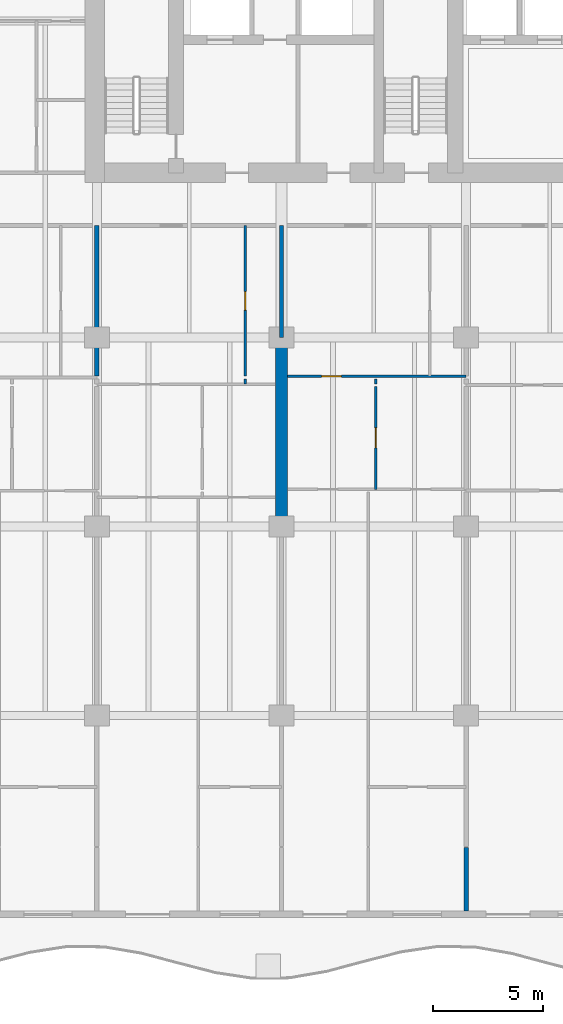
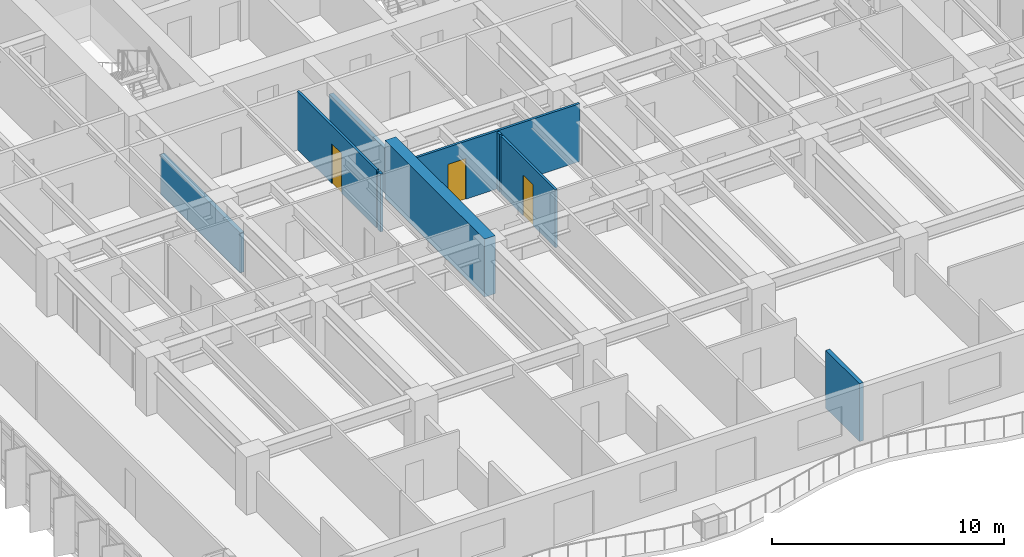
# One storey, part 7 of 17: 9 walls, 3 doors, 3 openings.
"""IFC4 building model written with IfcOpenShell, lengths in metres."""

from ifc_helpers import new_model, si_unit, direction, frame, frame_2d, origin, place, context, subcontext, project, spatial, rectangle, extrude, material, layer, layer_set, type_object, element, fill, save


model = new_model("IFC4")

# Units and contexts
model_context = context("Model", 3, precision=1e-05, world=origin(), true_north=direction((0.0, 1.0)))
body_context = subcontext(model_context, "Body", "Model", "MODEL_VIEW")
ifc_project = project(units=[si_unit("LENGTHUNIT", "METRE"), si_unit("AREAUNIT", "SQUARE_METRE"), si_unit("VOLUMEUNIT", "CUBIC_METRE"), si_unit("PLANEANGLEUNIT", "RADIAN"), si_unit("MASSUNIT", "GRAM", prefix="KILO")], contexts=[model_context])

# Site, building, storey
site_placement = place(None, origin())
site = spatial("IfcSite", under=ifc_project, at=site_placement, CompositionType="ELEMENT")
building_placement = place(site_placement, origin())
building = spatial("IfcBuilding", under=site, at=building_placement, Name="Caelmar Bay Residences", CompositionType="ELEMENT")
storey_placement = place(building_placement, frame((0.0, 0.0, 30.0)))
storey = spatial("IfcBuildingStorey", under=building, at=storey_placement, Name="L06", CompositionType="ELEMENT", Elevation=30.0)

# Walls
ifc_material_1 = material(Name="Concrete f'c 70 MPa (10,000 psi)", Category="concrete")
ifc_layer_1 = layer(ifc_material_1, 0.550048828125)
ifc_layer_set_1 = layer_set([ifc_layer_1], Name="Concrete f'c 70 MPa (10,000 psi)")
wall_type_1 = type_object("IfcWallType", Name="SW-XSLB-550", PredefinedType="SHEAR", material=ifc_layer_set_1)
wall_1_placement = place(storey_placement, frame((26.699951171875, 20.800048828125, 0.0), z_axis=(0.0, 0.0, 1.0), x_axis=(0.0, 1.0, 0.0)))
element("IfcWall", 1, at=wall_1_placement, inside=storey, type_object=wall_type_1, Name="L06 Transverse Cross-Slab Shear Wall W5", PredefinedType="SHEAR", context=body_context, shape_type="SweptSolid", body=[
    extrude(rectangle(XDim=8.599853515625, YDim=0.550048828125, at=frame_2d((4.2998046875, 0.0))), origin(), (0.0, 0.0, 1.0), 3.050048828125),
])
ifc_material_2 = material(Name="Acoustic metal-stud gypsum partition 120 mm")
ifc_layer_2 = layer(ifc_material_2, 0.1201171875)
ifc_layer_set_2 = layer_set([ifc_layer_2], Name="Acoustic metal-stud gypsum partition 120 mm")
wall_type_2 = type_object("IfcWallType", Name="W-PRT-120", PredefinedType="PARTITIONING", material=ifc_layer_set_2)
wall_2_placement = place(storey_placement, frame((25.050048828125, 27.280029296875, 0.0), z_axis=(0.0, 0.0, 1.0), x_axis=(0.0, 1.0, 0.0)))
element("IfcWall", 2, at=wall_2_placement, inside=storey, type_object=wall_type_2, Name="L06 Partition Wall V029", PredefinedType="PARTITIONING", context=body_context, shape_type="SweptSolid", body=[
    extrude(rectangle(XDim=0.239990234375, YDim=0.1201171875, at=frame_2d((0.1201171875, 0.0))), origin(), (0.0, 0.0, 1.0), 3.050048828125),
])

# Wall, opening, door
wall_3_placement = place(storey_placement, frame((25.050048828125, 27.639892578125, 0.0), z_axis=(0.0, 0.0, 1.0), x_axis=(0.0, 1.0, 0.0)))
wall_3 = element("IfcWall", 3, at=wall_3_placement, inside=storey, type_object=wall_type_2, Name="L06 Partition Wall V030", PredefinedType="PARTITIONING", context=body_context, shape_type="SweptSolid", body=[
    extrude(rectangle(XDim=6.860107421875, YDim=0.1201171875, at=frame_2d((3.43017578125, 0.0))), origin(), (0.0, 0.0, 1.0), 3.050048828125),
])
opening_1_placement = place(wall_3_placement, frame((3.0048828125, 0.0, 0.0)))
opening_1 = element("IfcOpeningElement", 4, at=opening_1_placement, cuts=wall_3, Name="Opening D-L06-128", PredefinedType="OPENING", context=body_context, shape_type="SweptSolid", body=[
    extrude(rectangle(XDim=0.85009765625, YDim=2.10009765625, at=frame_2d((0.425048828125, 1.050048828125))), frame((0.0, 0.070068359375, 0.0), z_axis=(0.0, -1.0, 0.0), x_axis=(1.0, 0.0, 0.0)), (0.0, 0.0, 1.0), 0.14013671875),
])
ifc_material_3 = material(Name="Solid walnut timber interior door leaf and frame", Category="wood")
ifc_layer_3 = layer(ifc_material_3, 0.050048828125)
ifc_layer_set_3 = layer_set([ifc_layer_3], Name="Solid walnut timber interior door leaf and frame")
door_type_1 = type_object("IfcDoorType", Name="D-BATH-850", OperationType="NOTDEFINED", PredefinedType="DOOR", material=ifc_layer_set_3)
door_1_placement = place(opening_1_placement, origin())
door_1 = element("IfcDoor", 5, at=door_1_placement, inside=storey, type_object=door_type_1, Name="L06 Residence 02 Bathroom Door", OperationType="SINGLE_SWING_RIGHT", OverallHeight=2.10009765625, OverallWidth=0.85009765625, PredefinedType="DOOR", context=body_context, shape_type="SweptSolid", body=[
    extrude(rectangle(XDim=0.85009765625, YDim=2.10009765625, at=frame_2d((0.425048828125, 1.050048828125))), frame((0.0, 0.02490234375, 0.0), z_axis=(0.0, -1.0, 0.0), x_axis=(1.0, 0.0, 0.0)), (0.0, 0.0, 1.0), 0.050048828125),
])
fill(opening_1, door_1)

wall_4_placement = place(storey_placement, frame((30.986083984375, 22.489990234375, 0.0), z_axis=(0.0, 0.0, 1.0), x_axis=(0.0, 1.0, 0.0)))
wall_4 = element("IfcWall", 6, at=wall_4_placement, inside=storey, type_object=wall_type_2, Name="L06 Partition Wall V039", PredefinedType="PARTITIONING", context=body_context, shape_type="SweptSolid", body=[
    extrude(rectangle(XDim=4.68994140625, YDim=0.1201171875, at=frame_2d((2.344970703125, 0.0))), origin(), (0.0, 0.0, 1.0), 3.050048828125),
])
opening_2_placement = place(wall_4_placement, frame((1.89501953125, 0.0, 0.0)))
opening_2 = element("IfcOpeningElement", 7, at=opening_2_placement, cuts=wall_4, Name="Opening D-L06-137", PredefinedType="OPENING", context=body_context, shape_type="SweptSolid", body=[
    extrude(rectangle(XDim=0.89990234375, YDim=2.14990234375, at=frame_2d((0.449951171875, 1.074951171875))), frame((0.0, 0.070068359375, 0.0), z_axis=(0.0, -1.0, 0.0), x_axis=(1.0, 0.0, 0.0)), (0.0, 0.0, 1.0), 0.14013671875),
])
ifc_layer_4 = layer(ifc_material_3, 0.050048828125)
ifc_layer_set_4 = layer_set([ifc_layer_4], Name="Solid walnut timber interior door leaf and frame")
door_type_2 = type_object("IfcDoorType", Name="D-ROOM-900", OperationType="NOTDEFINED", PredefinedType="DOOR", material=ifc_layer_set_4)
door_2_placement = place(opening_2_placement, origin())
door_2 = element("IfcDoor", 8, at=door_2_placement, inside=storey, type_object=door_type_2, Name="L06 Residence 03 Study Door", OperationType="SINGLE_SWING_LEFT", OverallHeight=2.14990234375, OverallWidth=0.89990234375, PredefinedType="DOOR", context=body_context, shape_type="SweptSolid", body=[
    extrude(rectangle(XDim=0.89990234375, YDim=2.14990234375, at=frame_2d((0.449951171875, 1.074951171875))), frame((0.0, 0.02490234375, 0.0), z_axis=(0.0, -1.0, 0.0), x_axis=(1.0, 0.0, 0.0)), (0.0, 0.0, 1.0), 0.050048828125),
])
fill(opening_2, door_2)

# Wall
wall_5_placement = place(storey_placement, frame((30.986083984375, 27.280029296875, 0.0), z_axis=(0.0, 0.0, 1.0), x_axis=(0.0, 1.0, 0.0)))
element("IfcWall", 9, at=wall_5_placement, inside=storey, type_object=wall_type_2, Name="L06 Partition Wall V040", PredefinedType="PARTITIONING", context=body_context, shape_type="SweptSolid", body=[
    extrude(rectangle(XDim=0.239990234375, YDim=0.1201171875, at=frame_2d((0.1201171875, 0.0))), origin(), (0.0, 0.0, 1.0), 3.050048828125),
])

# Wall, opening, door
wall_6_placement = place(storey_placement, frame((26.969970703125, 27.639892578125, 0.0), z_axis=(0.0, 0.0, 1.0), x_axis=(1.0, 0.0, 0.0)))
wall_6 = element("IfcWall", 10, at=wall_6_placement, inside=storey, type_object=wall_type_2, Name="L06 Partition Wall H122", PredefinedType="PARTITIONING", context=body_context, shape_type="SweptSolid", body=[
    extrude(rectangle(XDim=8.130126953125, YDim=0.1201171875, at=frame_2d((4.06494140625, 0.0))), origin(), (0.0, 0.0, 1.0), 3.050048828125),
])
opening_3_placement = place(wall_6_placement, frame((1.55810546875, 0.0, 0.0)))
opening_3 = element("IfcOpeningElement", 11, at=opening_3_placement, cuts=wall_6, Name="Opening D-L06-136", PredefinedType="OPENING", context=body_context, shape_type="SweptSolid", body=[
    extrude(rectangle(XDim=0.89990234375, YDim=2.14990234375, at=frame_2d((0.449951171875, 1.074951171875))), frame((0.0, 0.070068359375, 0.0), z_axis=(0.0, -1.0, 0.0), x_axis=(1.0, 0.0, 0.0)), (0.0, 0.0, 1.0), 0.14013671875),
])
door_3_placement = place(opening_3_placement, origin())
door_3 = element("IfcDoor", 12, at=door_3_placement, inside=storey, type_object=door_type_2, Name="L06 Residence 03 Kitchen Door", OperationType="SINGLE_SWING_RIGHT", OverallHeight=2.14990234375, OverallWidth=0.89990234375, PredefinedType="DOOR", context=body_context, shape_type="SweptSolid", body=[
    extrude(rectangle(XDim=0.89990234375, YDim=2.14990234375, at=frame_2d((0.449951171875, 1.074951171875))), frame((0.0, 0.02490234375, 0.0), z_axis=(0.0, -1.0, 0.0), x_axis=(1.0, 0.0, 0.0)), (0.0, 0.0, 1.0), 0.050048828125),
])
fill(opening_3, door_3)

# Walls
ifc_material_4 = material(Name="Acoustic twin-stud fire-rated inter-tenancy partition 200 mm")
ifc_layer_5 = layer(ifc_material_4, 0.199951171875)
ifc_layer_set_5 = layer_set([ifc_layer_5], Name="Acoustic twin-stud fire-rated inter-tenancy partition 200 mm")
wall_type_3 = type_object("IfcWallType", Name="W-PTY-200", PredefinedType="PARTITIONING", material=ifc_layer_set_5)
wall_7_placement = place(storey_placement, frame((18.300048828125, 27.639892578125, 0.0), z_axis=(0.0, 0.0, 1.0), x_axis=(0.0, 1.0, 0.0)))
element("IfcWall", 13, at=wall_7_placement, inside=storey, type_object=wall_type_3, Name="L06 Partition Wall V023", PredefinedType="PARTITIONING", context=body_context, shape_type="SweptSolid", body=[
    extrude(rectangle(XDim=6.860107421875, YDim=0.199951171875, at=frame_2d((3.43017578125, 0.0))), origin(), (0.0, 0.0, 1.0), 2.110107421875),
])
wall_8_placement = place(storey_placement, frame((26.699951171875, 29.405029296875, 0.0), z_axis=(0.0, 0.0, 1.0), x_axis=(0.0, 1.0, 0.0)))
element("IfcWall", 14, at=wall_8_placement, inside=storey, type_object=wall_type_3, Name="L06 Partition Wall V034", PredefinedType="PARTITIONING", context=body_context, shape_type="SweptSolid", body=[
    extrude(rectangle(XDim=5.094970703125, YDim=0.199951171875, at=frame_2d((2.54736328125, 0.0))), origin(), (0.0, 0.0, 1.0), 2.3349609375),
])
wall_9_placement = place(storey_placement, frame((35.10009765625, 3.294921875, 0.0), z_axis=(0.0, 0.0, 1.0), x_axis=(0.0, 1.0, 0.0)))
element("IfcWall", 15, at=wall_9_placement, inside=storey, type_object=wall_type_3, Name="L06 Partition Wall V042", PredefinedType="PARTITIONING", context=body_context, shape_type="SweptSolid", body=[
    extrude(rectangle(XDim=2.905029296875, YDim=0.199951171875, at=frame_2d((1.45263671875, 0.0))), origin(), (0.0, 0.0, 1.0), 3.050048828125),
])

save(model, "model.ifc")
